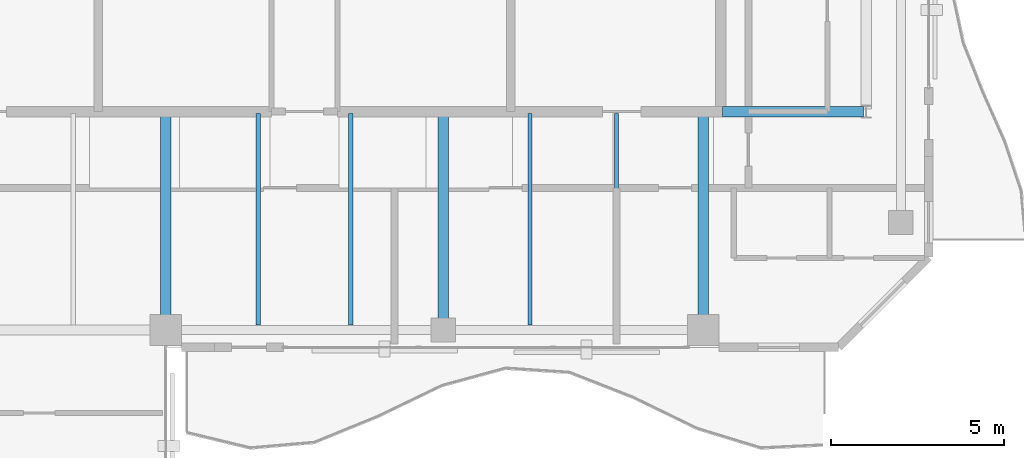
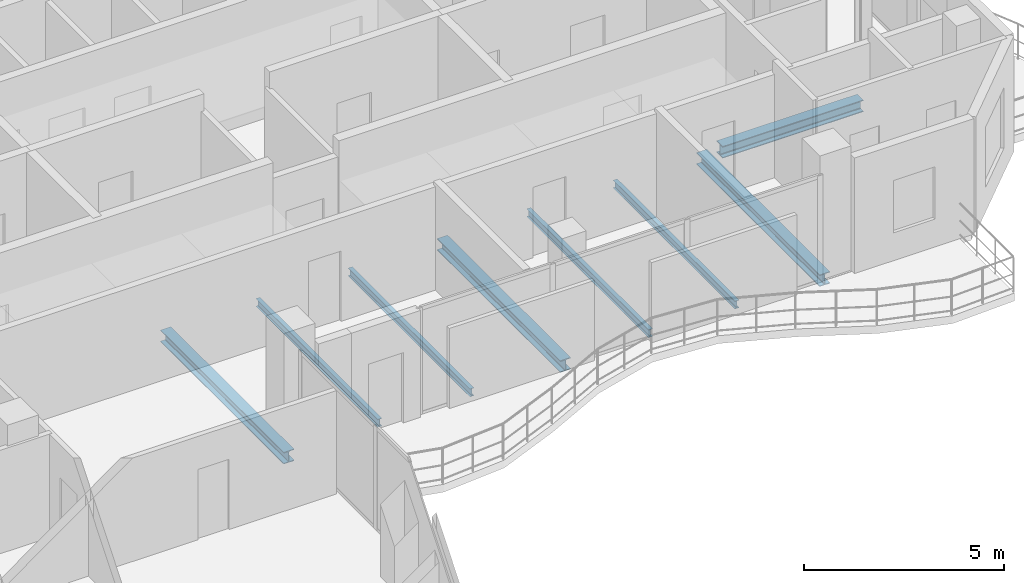
# One storey, part 10 of 17: 8 beams.
"""IFC4 building model written with IfcOpenShell, lengths in metres."""

from ifc_helpers import new_model, si_unit, direction, frame, origin, origin_2d, place, context, subcontext, project, spatial, i_section, extrude, material, material_profile, profile_set, type_object, element, save


model = new_model("IFC4")

# Units and contexts
model_context = context("Model", 3, precision=1e-05, world=origin(), true_north=direction((0.0, 1.0)))
body_context = subcontext(model_context, "Body", "Model", "MODEL_VIEW")
ifc_project = project(units=[si_unit("LENGTHUNIT", "METRE"), si_unit("AREAUNIT", "SQUARE_METRE"), si_unit("VOLUMEUNIT", "CUBIC_METRE"), si_unit("PLANEANGLEUNIT", "RADIAN"), si_unit("MASSUNIT", "GRAM", prefix="KILO")], contexts=[model_context])

# Site, building, storey
site_placement = place(None, origin())
site = spatial("IfcSite", under=ifc_project, at=site_placement, CompositionType="ELEMENT")
building_placement = place(site_placement, origin())
building = spatial("IfcBuilding", under=site, at=building_placement, Name="Catumbela Crestline Tower", CompositionType="ELEMENT")
storey_placement = place(building_placement, frame((0.0, 0.0, 279.2)))
storey = spatial("IfcBuildingStorey", under=building, at=storey_placement, Name="L72", CompositionType="ELEMENT", Elevation=279.2)

# Beams
ifc_material = material(Name="Structural steel S355J2", Category="steel")
ifc_material_profile_1 = material_profile(ifc_material, i_section(OverallWidth=0.3, OverallDepth=0.36, WebThickness=0.0125, FlangeThickness=0.0225, FilletRadius=0.027, at=origin_2d()), Name="HEB 360")
ifc_profile_set_1 = profile_set([ifc_material_profile_1], Name="Structural steel S355J2")
beam_type_1 = type_object("IfcBeamType", Name="BG-HEB360", PredefinedType="BEAM", material=ifc_profile_set_1)
beam_placement = place(storey_placement, frame((40.05, 30.8, -0.44), z_axis=(1.0, 0.0, 0.0), x_axis=(0.0, 1.0, 0.0)))
element("IfcBeam", 1, at=beam_placement, inside=storey, type_object=beam_type_1, Name="L72 Beam BM-L72-M04", PredefinedType="BEAM", context=body_context, shape_type="SweptSolid", body=[
    extrude(i_section(OverallWidth=0.3, OverallDepth=0.36, WebThickness=0.0125, FlangeThickness=0.0225, FilletRadius=0.027, at=origin_2d()), origin(), (0.0, 0.0, 1.0), 4.07),
])
for number, where, z_axis, x_axis, name in (
    (2, (24.0, 24.58, -0.44), (0.0, 1.0, 0.0), (-1.0, 0.0, 0.0), "L72 Beam BM-L72-SNS07"),
    (3, (32.0, 24.58, -0.44), (0.0, 1.0, 0.0), (-1.0, 0.0, 0.0), "L72 Beam BM-L72-SNS08"),
    (4, (39.5, 24.58, -0.44), (0.0, 1.0, 0.0), (-1.0, 0.0, 0.0), "L72 Beam BM-L72-SNS09"),
):
    element("IfcBeam", number, at=place(storey_placement, frame(where, z_axis=z_axis, x_axis=x_axis)), inside=storey, type_object=beam_type_1, Name=name, PredefinedType="BEAM", context=body_context, shape_type="SweptSolid", body=[
        extrude(i_section(OverallWidth=0.3, OverallDepth=0.36, WebThickness=0.0125, FlangeThickness=0.0225, FilletRadius=0.027, at=origin_2d()), origin(), (0.0, 0.0, 1.0), 6.17),
    ])
ifc_material_profile_2 = material_profile(ifc_material, i_section(OverallWidth=0.12, OverallDepth=0.24, WebThickness=0.0062, FlangeThickness=0.0098, FilletRadius=0.015, at=origin_2d()), Name="IPE 240")
ifc_profile_set_2 = profile_set([ifc_material_profile_2], Name="Structural steel S355J2")
beam_type_2 = type_object("IfcBeamType", Name="BJ-IPE240", PredefinedType="JOIST", material=ifc_profile_set_2)
for number, where, z_axis, x_axis, name in (
    (5, (26.667, 24.647, -0.38), (0.0, 1.0, 0.0), (-1.0, 0.0, 0.0), "L72 Joist JS-L72-SP14"),
    (6, (29.333, 24.647, -0.38), (0.0, 1.0, 0.0), (-1.0, 0.0, 0.0), "L72 Joist JS-L72-SP15"),
    (7, (34.5, 24.647, -0.38), (0.0, 1.0, 0.0), (-1.0, 0.0, 0.0), "L72 Joist JS-L72-SP16"),
    (8, (37.0, 24.647, -0.38), (0.0, 1.0, 0.0), (-1.0, 0.0, 0.0), "L72 Joist JS-L72-SP17"),
):
    element("IfcBeam", number, at=place(storey_placement, frame(where, z_axis=z_axis, x_axis=x_axis)), inside=storey, type_object=beam_type_2, Name=name, PredefinedType="JOIST", context=body_context, shape_type="SweptSolid", body=[
        extrude(i_section(OverallWidth=0.12, OverallDepth=0.24, WebThickness=0.0062, FlangeThickness=0.0098, FilletRadius=0.015, at=origin_2d()), origin(), (0.0, 0.0, 1.0), 6.103),
    ])

save(model, "model.ifc")
